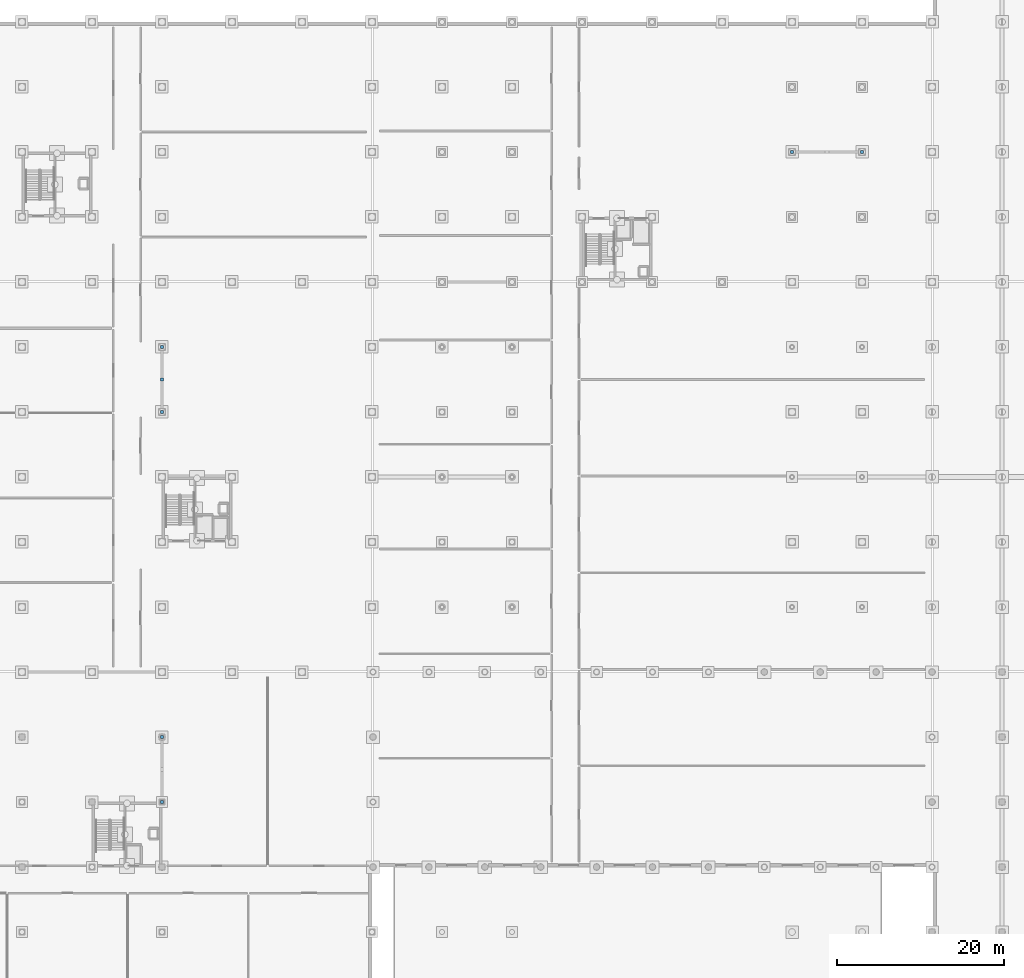
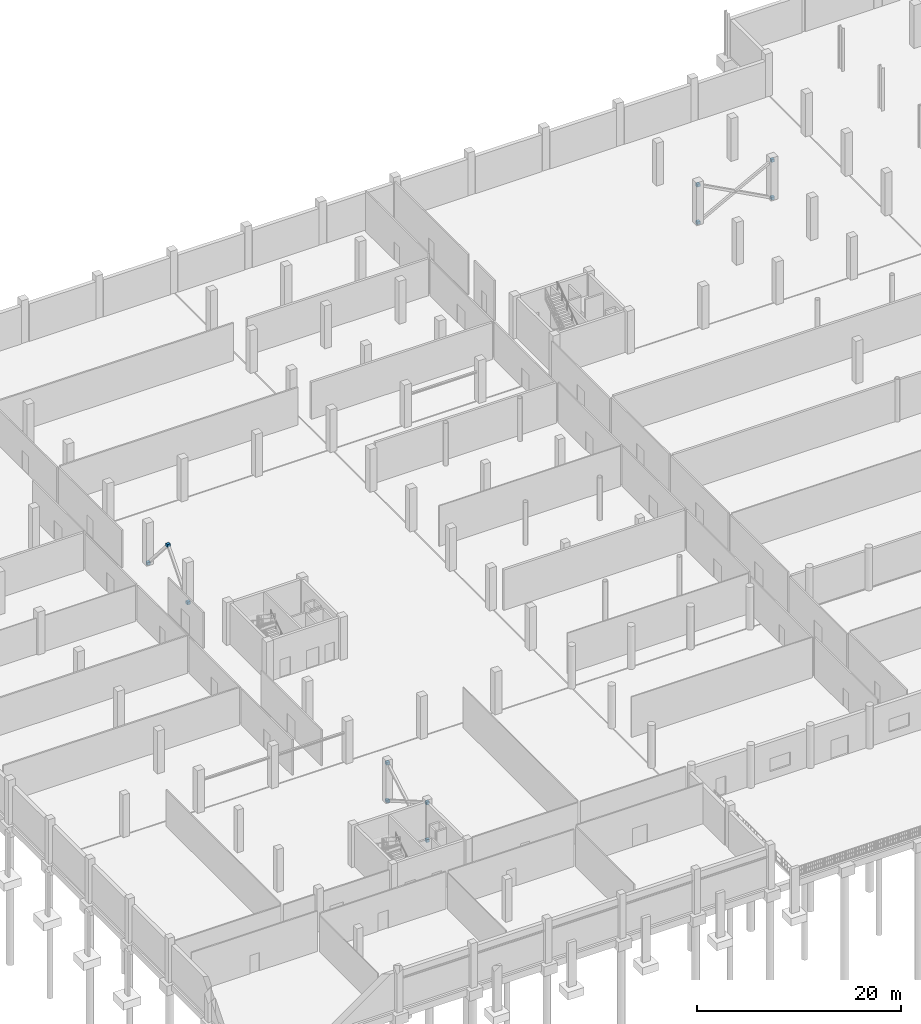
# One storey, part 37 of 48: 11 discrete accessories.
"""IFC4 building model written with IfcOpenShell, lengths in metres."""

from ifc_helpers import new_model, si_unit, direction, frame, origin, origin_2d, place, context, subcontext, project, spatial, rectangle, extrude, material, layer, layer_set, type_object, element, save


model = new_model("IFC4")

# Units and contexts
model_context = context("Model", 3, precision=1e-05, world=origin(), true_north=direction((0.0, 1.0)))
body_context = subcontext(model_context, "Body", "Model", "MODEL_VIEW")
ifc_project = project(units=[si_unit("LENGTHUNIT", "METRE"), si_unit("AREAUNIT", "SQUARE_METRE"), si_unit("VOLUMEUNIT", "CUBIC_METRE"), si_unit("PLANEANGLEUNIT", "RADIAN"), si_unit("MASSUNIT", "GRAM", prefix="KILO")], contexts=[model_context])

# Site, building, storey
site_placement = place(None, origin())
site = spatial("IfcSite", under=ifc_project, at=site_placement, CompositionType="ELEMENT")
building_placement = place(site_placement, origin())
building = spatial("IfcBuilding", under=site, at=building_placement, Name="Nabrawat Pavilion Hospital", CompositionType="ELEMENT")
storey_placement = place(building_placement, frame((0.0, 0.0, -5.10009765625)))
storey = spatial("IfcBuildingStorey", under=building, at=storey_placement, Name="B1", CompositionType="ELEMENT", Elevation=-5.10009765625)

# Discrete accessories
ifc_material = material(Name="Steel S355", Category="steel")
ifc_layer = layer(ifc_material, 0.02001953125, Name="Steel S355")
ifc_layer_set = layer_set([ifc_layer], Name="Steel S355")
discrete_accessory_type = type_object("IfcDiscreteAccessoryType", Name="Brace and Strut Gusset End Bracket 20", PredefinedType="BRACKET", material=ifc_layer_set)
for number, where, z_axis, x_axis, name in (
    (1, (33.60009765625, 23.39990234375, -0.1201171875), (0.0, 0.0, 1.0), (1.0, 0.0, 0.0), "B1 Brace and Strut Gusset End Connection 0001"),
    (2, (33.60009765625, 31.199951171875, 4.3798828125), (0.0, 0.0, 1.0), (1.0, 0.0, 0.0), "B1 Brace and Strut Gusset End Connection 0002"),
    (3, (33.60009765625, 23.39990234375, 4.3798828125), (0.0, 0.0, 1.0), (1.0, 0.0, 0.0), "B1 Brace and Strut Gusset End Connection 0003"),
    (4, (33.60009765625, 31.199951171875, -0.1201171875), (0.0, 0.0, 1.0), (1.0, 0.0, 0.0), "B1 Brace and Strut Gusset End Connection 0004"),
    (5, (109.199951171875, 101.39990234375, -0.1201171875), (0.0, 0.0, 1.0), (1.0, 0.0, 0.0), "B1 Brace and Strut Gusset End Connection 0017"),
    (6, (117.60009765625, 101.39990234375, 4.3798828125), (0.0, 0.0, 1.0), (1.0, 0.0, 0.0), "B1 Brace and Strut Gusset End Connection 0018"),
    (7, (109.199951171875, 101.39990234375, 4.3798828125), (0.0, 0.0, 1.0), (1.0, 0.0, 0.0), "B1 Brace and Strut Gusset End Connection 0019"),
    (8, (117.60009765625, 101.39990234375, -0.1201171875), (0.0, 0.0, 1.0), (1.0, 0.0, 0.0), "B1 Brace and Strut Gusset End Connection 0020"),
    (9, (33.60009765625, 74.10009765625, 4.3798828125), (0.0, 0.0, 1.0), (1.0, 0.0, 0.0), "B1 Brace and Strut Gusset End Connection 0033"),
    (10, (33.60009765625, 70.199951171875, -0.1201171875), (0.0, 0.0, 1.0), (1.0, 0.0, 0.0), "B1 Brace and Strut Gusset End Connection 0034"),
    (11, (33.60009765625, 78.0, -0.1201171875), (0.0, 0.0, 1.0), (1.0, 0.0, 0.0), "B1 Brace and Strut Gusset End Connection 0035"),
):
    element("IfcDiscreteAccessory", number, at=place(storey_placement, frame(where, z_axis=z_axis, x_axis=x_axis)), inside=storey, type_object=discrete_accessory_type, Name=name, PredefinedType="BRACKET", context=body_context, shape_type="SweptSolid", body=[
        extrude(rectangle(XDim=0.340087890625, YDim=0.340087890625, at=origin_2d()), origin(), (0.0, 0.0, 1.0), 0.340087890625),
    ])

save(model, "model.ifc")
